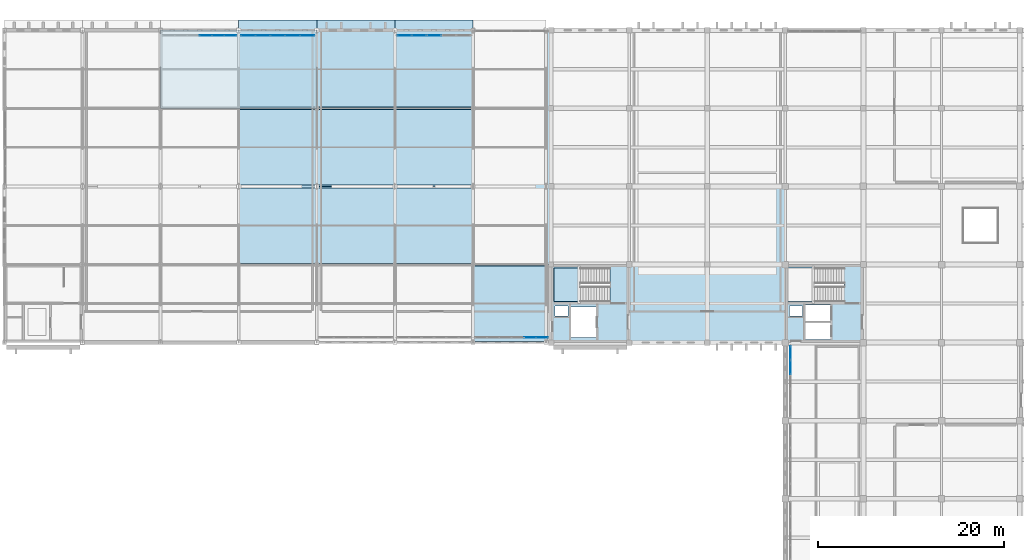
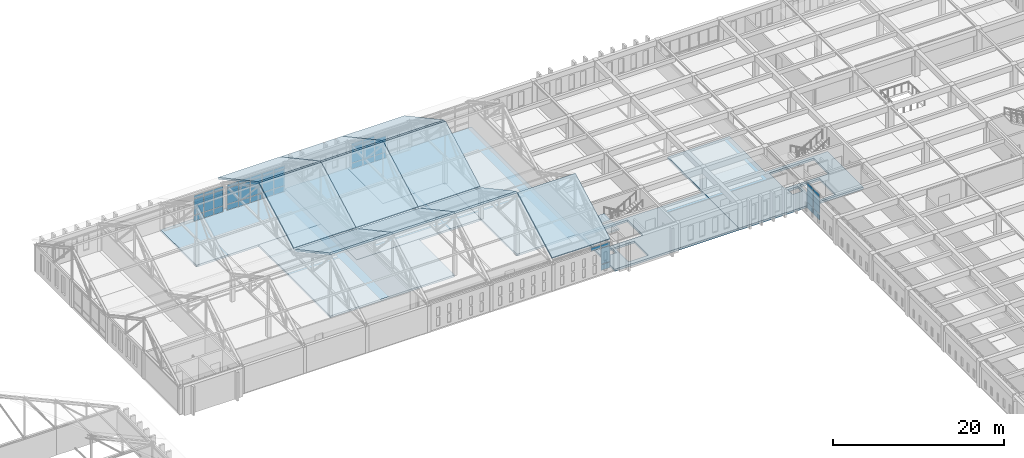
# One storey, part 60 of 110: 42 plates, 17 slabs, 6 elements without a shape of their own.
"""IFC4 building model written with IfcOpenShell, lengths in metres."""

from ifc_helpers import new_model, si_unit, direction, frame, origin, origin_2d, place, context, subcontext, project, spatial, polyline, rectangle, outline, extrude, material, layer, layer_set, type_object, element, aggregate, save


model = new_model("IFC4")

# Units and contexts
model_context = context("Model", 3, precision=1e-05, world=origin(), true_north=direction((0.0, 1.0)))
body_context = subcontext(model_context, "Body", "Model", "MODEL_VIEW")
ifc_project = project(units=[si_unit("LENGTHUNIT", "METRE"), si_unit("AREAUNIT", "SQUARE_METRE"), si_unit("VOLUMEUNIT", "CUBIC_METRE"), si_unit("PLANEANGLEUNIT", "RADIAN"), si_unit("MASSUNIT", "GRAM", prefix="KILO")], contexts=[model_context])

# Site, building, storey
site_placement = place(None, origin())
site = spatial("IfcSite", under=ifc_project, at=site_placement, CompositionType="ELEMENT")
building_placement = place(site_placement, origin())
building = spatial("IfcBuilding", under=site, at=building_placement, Name="Kveldsbrygga Polytechnic", CompositionType="ELEMENT")
storey_placement = place(building_placement, frame((0.0, 0.0, 9.860107421875)))
storey = spatial("IfcBuildingStorey", under=building, at=storey_placement, Name="L02", CompositionType="ELEMENT", Elevation=9.860107421875)

# Curtain wall, plates
ifc_material_1 = material(Name="Anodised aluminium AW-6060", Category="aluminium")
ifc_layer_1 = layer(ifc_material_1, 0.179931640625)
ifc_layer_set_1 = layer_set([ifc_layer_1], Name="Anodised aluminium AW-6060")
curtain_wall_type_1 = type_object("IfcCurtainWallType", Name="CW-CONC-A", PredefinedType="USERDEFINED", material=ifc_layer_set_1)
curtain_wall_1_placement = place(storey_placement, origin())
curtain_wall_1 = element("IfcCurtainWall", 1, at=curtain_wall_1_placement, inside=storey, type_object=curtain_wall_type_1, Name="Curtain Wall CW-L02-X-07-14", ObjectType="UNITISED CURTAIN WALL", PredefinedType="USERDEFINED")
ifc_material_2 = material(Name="Insulated triple low-E glass", Category="glass")
ifc_layer_2 = layer(ifc_material_2, 0.035888671875)
ifc_layer_set_2 = layer_set([ifc_layer_2], Name="Insulated triple low-E glass")
plate_type_1 = type_object("IfcPlateType", Name="CW-PAN-VIS36", PredefinedType="CURTAIN_PANEL", material=ifc_layer_set_2)
plate_1_placement = place(storey_placement, frame((63.65869140625, 117.050048828125, 0.059814453125), z_axis=(0.0, 0.0, 1.0), x_axis=(1.0, 0.0, 0.0)))
plate_1 = element("IfcPlate", 2, at=plate_1_placement, type_object=plate_type_1, Name="CW-01 panel 4.1", PredefinedType="CURTAIN_PANEL", context=body_context, shape_type="SweptSolid", body=[
    extrude(rectangle(XDim=1.2724609375, YDim=0.035888671875, at=origin_2d()), origin(), (0.0, 0.0, 1.0), 0.81005859375),
])
plate_2_placement = place(storey_placement, frame((63.65869140625, 117.050048828125, 0.929931640625), z_axis=(0.0, 0.0, 1.0), x_axis=(1.0, 0.0, 0.0)))
plate_2 = element("IfcPlate", 3, at=plate_2_placement, type_object=plate_type_1, Name="CW-01 panel 4.2", PredefinedType="CURTAIN_PANEL", context=body_context, shape_type="SweptSolid", body=[
    extrude(rectangle(XDim=1.2724609375, YDim=0.035888671875, at=origin_2d()), origin(), (0.0, 0.0, 1.0), 2.27001953125),
])
plate_3_placement = place(storey_placement, frame((63.65869140625, 117.050048828125, 3.260009765625), z_axis=(0.0, 0.0, 1.0), x_axis=(1.0, 0.0, 0.0)))
plate_3 = element("IfcPlate", 4, at=plate_3_placement, type_object=plate_type_1, Name="CW-01 panel 4.3", PredefinedType="CURTAIN_PANEL", context=body_context, shape_type="SweptSolid", body=[
    extrude(rectangle(XDim=1.2724609375, YDim=0.035888671875, at=origin_2d()), origin(), (0.0, 0.0, 1.0), 0.4599609375),
])
plate_4_placement = place(storey_placement, frame((64.9912109375, 117.050048828125, 0.059814453125), z_axis=(0.0, 0.0, 1.0), x_axis=(1.0, 0.0, 0.0)))
plate_4 = element("IfcPlate", 5, at=plate_4_placement, type_object=plate_type_1, Name="CW-01 panel 5.1", PredefinedType="CURTAIN_PANEL", context=body_context, shape_type="SweptSolid", body=[
    extrude(rectangle(XDim=1.2724609375, YDim=0.035888671875, at=origin_2d()), origin(), (0.0, 0.0, 1.0), 0.81005859375),
])
plate_5_placement = place(storey_placement, frame((64.9912109375, 117.050048828125, 0.929931640625), z_axis=(0.0, 0.0, 1.0), x_axis=(1.0, 0.0, 0.0)))
plate_5 = element("IfcPlate", 6, at=plate_5_placement, type_object=plate_type_1, Name="CW-01 panel 5.2", PredefinedType="CURTAIN_PANEL", context=body_context, shape_type="SweptSolid", body=[
    extrude(rectangle(XDim=1.2724609375, YDim=0.035888671875, at=origin_2d()), origin(), (0.0, 0.0, 1.0), 2.27001953125),
])
plate_6_placement = place(storey_placement, frame((64.9912109375, 117.050048828125, 3.260009765625), z_axis=(0.0, 0.0, 1.0), x_axis=(1.0, 0.0, 0.0)))
plate_6 = element("IfcPlate", 7, at=plate_6_placement, type_object=plate_type_1, Name="CW-01 panel 5.3", PredefinedType="CURTAIN_PANEL", context=body_context, shape_type="SweptSolid", body=[
    extrude(rectangle(XDim=1.2724609375, YDim=0.035888671875, at=origin_2d()), origin(), (0.0, 0.0, 1.0), 0.4599609375),
])
plate_7_placement = place(storey_placement, frame((66.308837890625, 117.050048828125, 0.059814453125), z_axis=(0.0, 0.0, 1.0), x_axis=(1.0, 0.0, 0.0)))
plate_7 = element("IfcPlate", 8, at=plate_7_placement, type_object=plate_type_1, Name="CW-01 panel 6.1", PredefinedType="CURTAIN_PANEL", context=body_context, shape_type="SweptSolid", body=[
    extrude(rectangle(XDim=1.242431640625, YDim=0.035888671875, at=origin_2d()), origin(), (0.0, 0.0, 1.0), 0.81005859375),
])
plate_8_placement = place(storey_placement, frame((66.308837890625, 117.050048828125, 0.929931640625), z_axis=(0.0, 0.0, 1.0), x_axis=(1.0, 0.0, 0.0)))
plate_8 = element("IfcPlate", 9, at=plate_8_placement, type_object=plate_type_1, Name="CW-01 panel 6.2", PredefinedType="CURTAIN_PANEL", context=body_context, shape_type="SweptSolid", body=[
    extrude(rectangle(XDim=1.242431640625, YDim=0.035888671875, at=origin_2d()), origin(), (0.0, 0.0, 1.0), 2.27001953125),
])
plate_9_placement = place(storey_placement, frame((66.308837890625, 117.050048828125, 3.260009765625), z_axis=(0.0, 0.0, 1.0), x_axis=(1.0, 0.0, 0.0)))
plate_9 = element("IfcPlate", 10, at=plate_9_placement, type_object=plate_type_1, Name="CW-01 panel 6.3", PredefinedType="CURTAIN_PANEL", context=body_context, shape_type="SweptSolid", body=[
    extrude(rectangle(XDim=1.242431640625, YDim=0.035888671875, at=origin_2d()), origin(), (0.0, 0.0, 1.0), 0.4599609375),
])
aggregate(curtain_wall_1, [plate_1, plate_2, plate_3, plate_4, plate_5, plate_6, plate_7, plate_8, plate_9])

ifc_layer_3 = layer(ifc_material_1, 0.179931640625)
ifc_layer_set_3 = layer_set([ifc_layer_3], Name="Anodised aluminium AW-6060")
curtain_wall_type_2 = type_object("IfcCurtainWallType", Name="CW-LANC-D", PredefinedType="USERDEFINED", material=ifc_layer_set_3)
curtain_wall_2_placement = place(storey_placement, origin())
curtain_wall_2 = element("IfcCurtainWall", 11, at=curtain_wall_2_placement, inside=storey, type_object=curtain_wall_type_2, Name="Curtain Wall CW-L02-X-10-14", ObjectType="UNITISED CURTAIN WALL", PredefinedType="USERDEFINED")
plate_10_placement = place(storey_placement, frame((85.0283203125, 117.050048828125, 0.059814453125), z_axis=(0.0, 0.0, 1.0), x_axis=(1.0, 0.0, 0.0)))
plate_10 = element("IfcPlate", 12, at=plate_10_placement, type_object=plate_type_1, Name="CW-04 panel 1.1", PredefinedType="CURTAIN_PANEL", context=body_context, shape_type="SweptSolid", body=[
    extrude(rectangle(XDim=1.486572265625, YDim=0.035888671875, at=origin_2d()), origin(), (0.0, 0.0, 1.0), 0.81005859375),
])
plate_11_placement = place(storey_placement, frame((85.0283203125, 117.050048828125, 0.929931640625), z_axis=(0.0, 0.0, 1.0), x_axis=(1.0, 0.0, 0.0)))
plate_11 = element("IfcPlate", 13, at=plate_11_placement, type_object=plate_type_1, Name="CW-04 panel 1.2", PredefinedType="CURTAIN_PANEL", context=body_context, shape_type="SweptSolid", body=[
    extrude(rectangle(XDim=1.486572265625, YDim=0.035888671875, at=origin_2d()), origin(), (0.0, 0.0, 1.0), 2.27001953125),
])
plate_12_placement = place(storey_placement, frame((85.0283203125, 117.050048828125, 3.260009765625), z_axis=(0.0, 0.0, 1.0), x_axis=(1.0, 0.0, 0.0)))
plate_12 = element("IfcPlate", 14, at=plate_12_placement, type_object=plate_type_1, Name="CW-04 panel 1.3", PredefinedType="CURTAIN_PANEL", context=body_context, shape_type="SweptSolid", body=[
    extrude(rectangle(XDim=1.486572265625, YDim=0.035888671875, at=origin_2d()), origin(), (0.0, 0.0, 1.0), 0.4599609375),
])
plate_13_placement = place(storey_placement, frame((86.6083984375, 117.050048828125, 0.059814453125), z_axis=(0.0, 0.0, 1.0), x_axis=(1.0, 0.0, 0.0)))
plate_13 = element("IfcPlate", 15, at=plate_13_placement, type_object=plate_type_1, Name="CW-04 panel 2.1", PredefinedType="CURTAIN_PANEL", context=body_context, shape_type="SweptSolid", body=[
    extrude(rectangle(XDim=1.52392578125, YDim=0.035888671875, at=origin_2d()), origin(), (0.0, 0.0, 1.0), 0.81005859375),
])
plate_14_placement = place(storey_placement, frame((86.6083984375, 117.050048828125, 0.929931640625), z_axis=(0.0, 0.0, 1.0), x_axis=(1.0, 0.0, 0.0)))
plate_14 = element("IfcPlate", 16, at=plate_14_placement, type_object=plate_type_1, Name="CW-04 panel 2.2", PredefinedType="CURTAIN_PANEL", context=body_context, shape_type="SweptSolid", body=[
    extrude(rectangle(XDim=1.52392578125, YDim=0.035888671875, at=origin_2d()), origin(), (0.0, 0.0, 1.0), 2.27001953125),
])
plate_15_placement = place(storey_placement, frame((86.6083984375, 117.050048828125, 3.260009765625), z_axis=(0.0, 0.0, 1.0), x_axis=(1.0, 0.0, 0.0)))
plate_15 = element("IfcPlate", 17, at=plate_15_placement, type_object=plate_type_1, Name="CW-04 panel 2.3", PredefinedType="CURTAIN_PANEL", context=body_context, shape_type="SweptSolid", body=[
    extrude(rectangle(XDim=1.52392578125, YDim=0.035888671875, at=origin_2d()), origin(), (0.0, 0.0, 1.0), 0.4599609375),
])
plate_16_placement = place(storey_placement, frame((88.20751953125, 117.050048828125, 0.059814453125), z_axis=(0.0, 0.0, 1.0), x_axis=(1.0, 0.0, 0.0)))
plate_16 = element("IfcPlate", 18, at=plate_16_placement, type_object=plate_type_1, Name="CW-04 panel 3.1", PredefinedType="CURTAIN_PANEL", context=body_context, shape_type="SweptSolid", body=[
    extrude(rectangle(XDim=1.52392578125, YDim=0.035888671875, at=origin_2d()), origin(), (0.0, 0.0, 1.0), 0.81005859375),
])
plate_17_placement = place(storey_placement, frame((88.20751953125, 117.050048828125, 0.929931640625), z_axis=(0.0, 0.0, 1.0), x_axis=(1.0, 0.0, 0.0)))
plate_17 = element("IfcPlate", 19, at=plate_17_placement, type_object=plate_type_1, Name="CW-04 panel 3.2", PredefinedType="CURTAIN_PANEL", context=body_context, shape_type="SweptSolid", body=[
    extrude(rectangle(XDim=1.52392578125, YDim=0.035888671875, at=origin_2d()), origin(), (0.0, 0.0, 1.0), 2.27001953125),
])
aggregate(curtain_wall_2, [plate_10, plate_11, plate_12, plate_13, plate_14, plate_15, plate_16, plate_17])

curtain_wall_3_placement = place(storey_placement, origin())
curtain_wall_3 = element("IfcCurtainWall", 20, at=curtain_wall_3_placement, inside=storey, type_object=curtain_wall_type_1, Name="Curtain Wall CW-L02-X-11-10", ObjectType="UNITISED CURTAIN WALL", PredefinedType="USERDEFINED")
plate_18_placement = place(storey_placement, frame((98.534912109375, 84.550048828125, 3.260009765625), z_axis=(0.0, 0.0, 1.0), x_axis=(1.0, 0.0, 0.0)))
plate_18 = element("IfcPlate", 21, at=plate_18_placement, type_object=plate_type_1, Name="CW-01 panel 5.3", PredefinedType="CURTAIN_PANEL", context=body_context, shape_type="SweptSolid", body=[
    extrude(rectangle(XDim=1.260009765625, YDim=0.035888671875, at=origin_2d()), origin(), (0.0, 0.0, 1.0), 0.4599609375),
])
plate_19_placement = place(storey_placement, frame((99.840087890625, 84.550048828125, 0.059814453125), z_axis=(0.0, 0.0, 1.0), x_axis=(1.0, 0.0, 0.0)))
plate_19 = element("IfcPlate", 22, at=plate_19_placement, type_object=plate_type_1, Name="CW-01 panel 6.1", PredefinedType="CURTAIN_PANEL", context=body_context, shape_type="SweptSolid", body=[
    extrude(rectangle(XDim=1.22998046875, YDim=0.035888671875, at=origin_2d()), origin(), (0.0, 0.0, 1.0), 0.81005859375),
])
plate_20_placement = place(storey_placement, frame((99.840087890625, 84.550048828125, 0.929931640625), z_axis=(0.0, 0.0, 1.0), x_axis=(1.0, 0.0, 0.0)))
plate_20 = element("IfcPlate", 23, at=plate_20_placement, type_object=plate_type_1, Name="CW-01 panel 6.2", PredefinedType="CURTAIN_PANEL", context=body_context, shape_type="SweptSolid", body=[
    extrude(rectangle(XDim=1.22998046875, YDim=0.035888671875, at=origin_2d()), origin(), (0.0, 0.0, 1.0), 2.27001953125),
])
plate_21_placement = place(storey_placement, frame((99.840087890625, 84.550048828125, 3.260009765625), z_axis=(0.0, 0.0, 1.0), x_axis=(1.0, 0.0, 0.0)))
plate_21 = element("IfcPlate", 24, at=plate_21_placement, type_object=plate_type_1, Name="CW-01 panel 6.3", PredefinedType="CURTAIN_PANEL", context=body_context, shape_type="SweptSolid", body=[
    extrude(rectangle(XDim=1.22998046875, YDim=0.035888671875, at=origin_2d()), origin(), (0.0, 0.0, 1.0), 0.4599609375),
])
aggregate(curtain_wall_3, [plate_18, plate_19, plate_20, plate_21])

curtain_wall_4_placement = place(storey_placement, origin())
curtain_wall_4 = element("IfcCurtainWall", 25, at=curtain_wall_4_placement, inside=storey, type_object=curtain_wall_type_2, Name="Curtain Wall CW-L02-Y-15-09", ObjectType="UNITISED CURTAIN WALL", PredefinedType="USERDEFINED")
plate_22_placement = place(storey_placement, frame((126.550048828125, 81.35302734375, 0.059814453125), z_axis=(0.0, 0.0, 1.0), x_axis=(0.0, 1.0, 0.0)))
plate_22 = element("IfcPlate", 26, at=plate_22_placement, type_object=plate_type_1, Name="CW-04 panel 4.1", PredefinedType="CURTAIN_PANEL", context=body_context, shape_type="SweptSolid", body=[
    extrude(rectangle(XDim=1.472900390625, YDim=0.035888671875, at=origin_2d()), origin(), (0.0, 0.0, 1.0), 0.81005859375),
])
plate_23_placement = place(storey_placement, frame((126.550048828125, 81.35302734375, 0.929931640625), z_axis=(0.0, 0.0, 1.0), x_axis=(0.0, 1.0, 0.0)))
plate_23 = element("IfcPlate", 27, at=plate_23_placement, type_object=plate_type_1, Name="CW-04 panel 4.2", PredefinedType="CURTAIN_PANEL", context=body_context, shape_type="SweptSolid", body=[
    extrude(rectangle(XDim=1.472900390625, YDim=0.035888671875, at=origin_2d()), origin(), (0.0, 0.0, 1.0), 2.27001953125),
])
plate_24_placement = place(storey_placement, frame((126.550048828125, 81.35302734375, 3.260009765625), z_axis=(0.0, 0.0, 1.0), x_axis=(0.0, 1.0, 0.0)))
plate_24 = element("IfcPlate", 28, at=plate_24_placement, type_object=plate_type_1, Name="CW-04 panel 4.3", PredefinedType="CURTAIN_PANEL", context=body_context, shape_type="SweptSolid", body=[
    extrude(rectangle(XDim=1.472900390625, YDim=0.035888671875, at=origin_2d()), origin(), (0.0, 0.0, 1.0), 0.4599609375),
])
plate_25_placement = place(storey_placement, frame((126.550048828125, 82.88232421875, 0.059814453125), z_axis=(0.0, 0.0, 1.0), x_axis=(0.0, 1.0, 0.0)))
plate_25 = element("IfcPlate", 29, at=plate_25_placement, type_object=plate_type_1, Name="CW-04 panel 5.1", PredefinedType="CURTAIN_PANEL", context=body_context, shape_type="SweptSolid", body=[
    extrude(rectangle(XDim=1.435546875, YDim=0.035888671875, at=origin_2d()), origin(), (0.0, 0.0, 1.0), 0.81005859375),
])
plate_26_placement = place(storey_placement, frame((126.550048828125, 82.88232421875, 0.929931640625), z_axis=(0.0, 0.0, 1.0), x_axis=(0.0, 1.0, 0.0)))
plate_26 = element("IfcPlate", 30, at=plate_26_placement, type_object=plate_type_1, Name="CW-04 panel 5.2", PredefinedType="CURTAIN_PANEL", context=body_context, shape_type="SweptSolid", body=[
    extrude(rectangle(XDim=1.435546875, YDim=0.035888671875, at=origin_2d()), origin(), (0.0, 0.0, 1.0), 2.27001953125),
])
plate_27_placement = place(storey_placement, frame((126.550048828125, 82.88232421875, 3.260009765625), z_axis=(0.0, 0.0, 1.0), x_axis=(0.0, 1.0, 0.0)))
plate_27 = element("IfcPlate", 31, at=plate_27_placement, type_object=plate_type_1, Name="CW-04 panel 5.3", PredefinedType="CURTAIN_PANEL", context=body_context, shape_type="SweptSolid", body=[
    extrude(rectangle(XDim=1.435546875, YDim=0.035888671875, at=origin_2d()), origin(), (0.0, 0.0, 1.0), 0.4599609375),
])
aggregate(curtain_wall_4, [plate_22, plate_23, plate_24, plate_25, plate_26, plate_27])

ifc_layer_4 = layer(ifc_material_1, 0.199951171875)
ifc_layer_set_4 = layer_set([ifc_layer_4], Name="Anodised aluminium AW-6060")
curtain_wall_type_3 = type_object("IfcCurtainWallType", Name="CW-CONC-B", PredefinedType="USERDEFINED", material=ifc_layer_set_4)
curtain_wall_5_placement = place(storey_placement, origin())
curtain_wall_5 = element("IfcCurtainWall", 32, at=curtain_wall_5_placement, inside=storey, type_object=curtain_wall_type_3, Name="Curtain Wall CW-L02-X-08-14", ObjectType="UNITISED CURTAIN WALL", PredefinedType="USERDEFINED")
ifc_layer_5 = layer(ifc_material_2, 0.0419921875)
ifc_layer_set_5 = layer_set([ifc_layer_5], Name="Insulated triple low-E glass")
plate_type_2 = type_object("IfcPlateType", Name="CW-PAN-VIS42", PredefinedType="CURTAIN_PANEL", material=ifc_layer_set_5)
plate_28_placement = place(storey_placement, frame((68.221435546875, 117.050048828125, 0.059814453125), z_axis=(0.0, 0.0, 1.0), x_axis=(1.0, 0.0, 0.0)))
plate_28 = element("IfcPlate", 33, at=plate_28_placement, type_object=plate_type_2, Name="CW-02 panel 1.1", PredefinedType="CURTAIN_PANEL", context=body_context, shape_type="SweptSolid", body=[
    extrude(rectangle(XDim=1.5029296875, YDim=0.0419921875, at=origin_2d()), origin(), (0.0, 0.0, 1.0), 0.81005859375),
])
plate_29_placement = place(storey_placement, frame((68.221435546875, 117.050048828125, 0.929931640625), z_axis=(0.0, 0.0, 1.0), x_axis=(1.0, 0.0, 0.0)))
plate_29 = element("IfcPlate", 34, at=plate_29_placement, type_object=plate_type_2, Name="CW-02 panel 1.2", PredefinedType="CURTAIN_PANEL", context=body_context, shape_type="SweptSolid", body=[
    extrude(rectangle(XDim=1.5029296875, YDim=0.0419921875, at=origin_2d()), origin(), (0.0, 0.0, 1.0), 2.27001953125),
])
plate_30_placement = place(storey_placement, frame((68.221435546875, 117.050048828125, 3.260009765625), z_axis=(0.0, 0.0, 1.0), x_axis=(1.0, 0.0, 0.0)))
plate_30 = element("IfcPlate", 35, at=plate_30_placement, type_object=plate_type_2, Name="CW-02 panel 1.3", PredefinedType="CURTAIN_PANEL", context=body_context, shape_type="SweptSolid", body=[
    extrude(rectangle(XDim=1.5029296875, YDim=0.0419921875, at=origin_2d()), origin(), (0.0, 0.0, 1.0), 0.4599609375),
])
plate_31_placement = place(storey_placement, frame((69.799560546875, 117.050048828125, 0.059814453125), z_axis=(0.0, 0.0, 1.0), x_axis=(1.0, 0.0, 0.0)))
plate_31 = element("IfcPlate", 36, at=plate_31_placement, type_object=plate_type_2, Name="CW-02 panel 2.1", PredefinedType="CURTAIN_PANEL", context=body_context, shape_type="SweptSolid", body=[
    extrude(rectangle(XDim=1.532958984375, YDim=0.0419921875, at=origin_2d()), origin(), (0.0, 0.0, 1.0), 0.81005859375),
])
plate_32_placement = place(storey_placement, frame((69.799560546875, 117.050048828125, 0.929931640625), z_axis=(0.0, 0.0, 1.0), x_axis=(1.0, 0.0, 0.0)))
plate_32 = element("IfcPlate", 37, at=plate_32_placement, type_object=plate_type_2, Name="CW-02 panel 2.2", PredefinedType="CURTAIN_PANEL", context=body_context, shape_type="SweptSolid", body=[
    extrude(rectangle(XDim=1.532958984375, YDim=0.0419921875, at=origin_2d()), origin(), (0.0, 0.0, 1.0), 2.27001953125),
])
plate_33_placement = place(storey_placement, frame((69.799560546875, 117.050048828125, 3.260009765625), z_axis=(0.0, 0.0, 1.0), x_axis=(1.0, 0.0, 0.0)))
plate_33 = element("IfcPlate", 38, at=plate_33_placement, type_object=plate_type_2, Name="CW-02 panel 2.3", PredefinedType="CURTAIN_PANEL", context=body_context, shape_type="SweptSolid", body=[
    extrude(rectangle(XDim=1.532958984375, YDim=0.0419921875, at=origin_2d()), origin(), (0.0, 0.0, 1.0), 0.4599609375),
])
plate_34_placement = place(storey_placement, frame((71.392578125, 117.050048828125, 0.059814453125), z_axis=(0.0, 0.0, 1.0), x_axis=(1.0, 0.0, 0.0)))
plate_34 = element("IfcPlate", 39, at=plate_34_placement, type_object=plate_type_2, Name="CW-02 panel 3.1", PredefinedType="CURTAIN_PANEL", context=body_context, shape_type="SweptSolid", body=[
    extrude(rectangle(XDim=1.532958984375, YDim=0.0419921875, at=origin_2d()), origin(), (0.0, 0.0, 1.0), 0.81005859375),
])
plate_35_placement = place(storey_placement, frame((71.392578125, 117.050048828125, 0.929931640625), z_axis=(0.0, 0.0, 1.0), x_axis=(1.0, 0.0, 0.0)))
plate_35 = element("IfcPlate", 40, at=plate_35_placement, type_object=plate_type_2, Name="CW-02 panel 3.2", PredefinedType="CURTAIN_PANEL", context=body_context, shape_type="SweptSolid", body=[
    extrude(rectangle(XDim=1.532958984375, YDim=0.0419921875, at=origin_2d()), origin(), (0.0, 0.0, 1.0), 2.27001953125),
])
plate_36_placement = place(storey_placement, frame((71.392578125, 117.050048828125, 3.260009765625), z_axis=(0.0, 0.0, 1.0), x_axis=(1.0, 0.0, 0.0)))
plate_36 = element("IfcPlate", 41, at=plate_36_placement, type_object=plate_type_2, Name="CW-02 panel 3.3", PredefinedType="CURTAIN_PANEL", context=body_context, shape_type="SweptSolid", body=[
    extrude(rectangle(XDim=1.532958984375, YDim=0.0419921875, at=origin_2d()), origin(), (0.0, 0.0, 1.0), 0.4599609375),
])
plate_37_placement = place(storey_placement, frame((72.985595703125, 117.050048828125, 0.059814453125), z_axis=(0.0, 0.0, 1.0), x_axis=(1.0, 0.0, 0.0)))
plate_37 = element("IfcPlate", 42, at=plate_37_placement, type_object=plate_type_2, Name="CW-02 panel 4.1", PredefinedType="CURTAIN_PANEL", context=body_context, shape_type="SweptSolid", body=[
    extrude(rectangle(XDim=1.532958984375, YDim=0.0419921875, at=origin_2d()), origin(), (0.0, 0.0, 1.0), 0.81005859375),
])
plate_38_placement = place(storey_placement, frame((72.985595703125, 117.050048828125, 0.929931640625), z_axis=(0.0, 0.0, 1.0), x_axis=(1.0, 0.0, 0.0)))
plate_38 = element("IfcPlate", 43, at=plate_38_placement, type_object=plate_type_2, Name="CW-02 panel 4.2", PredefinedType="CURTAIN_PANEL", context=body_context, shape_type="SweptSolid", body=[
    extrude(rectangle(XDim=1.532958984375, YDim=0.0419921875, at=origin_2d()), origin(), (0.0, 0.0, 1.0), 2.27001953125),
])
plate_39_placement = place(storey_placement, frame((72.985595703125, 117.050048828125, 3.260009765625), z_axis=(0.0, 0.0, 1.0), x_axis=(1.0, 0.0, 0.0)))
plate_39 = element("IfcPlate", 44, at=plate_39_placement, type_object=plate_type_2, Name="CW-02 panel 4.3", PredefinedType="CURTAIN_PANEL", context=body_context, shape_type="SweptSolid", body=[
    extrude(rectangle(XDim=1.532958984375, YDim=0.0419921875, at=origin_2d()), origin(), (0.0, 0.0, 1.0), 0.4599609375),
])
plate_40_placement = place(storey_placement, frame((74.5634765625, 117.050048828125, 0.059814453125), z_axis=(0.0, 0.0, 1.0), x_axis=(1.0, 0.0, 0.0)))
plate_40 = element("IfcPlate", 45, at=plate_40_placement, type_object=plate_type_2, Name="CW-02 panel 5.1", PredefinedType="CURTAIN_PANEL", context=body_context, shape_type="SweptSolid", body=[
    extrude(rectangle(XDim=1.5029296875, YDim=0.0419921875, at=origin_2d()), origin(), (0.0, 0.0, 1.0), 0.81005859375),
])
plate_41_placement = place(storey_placement, frame((74.5634765625, 117.050048828125, 0.929931640625), z_axis=(0.0, 0.0, 1.0), x_axis=(1.0, 0.0, 0.0)))
plate_41 = element("IfcPlate", 46, at=plate_41_placement, type_object=plate_type_2, Name="CW-02 panel 5.2", PredefinedType="CURTAIN_PANEL", context=body_context, shape_type="SweptSolid", body=[
    extrude(rectangle(XDim=1.5029296875, YDim=0.0419921875, at=origin_2d()), origin(), (0.0, 0.0, 1.0), 2.27001953125),
])
plate_42_placement = place(storey_placement, frame((74.5634765625, 117.050048828125, 3.260009765625), z_axis=(0.0, 0.0, 1.0), x_axis=(1.0, 0.0, 0.0)))
plate_42 = element("IfcPlate", 47, at=plate_42_placement, type_object=plate_type_2, Name="CW-02 panel 5.3", PredefinedType="CURTAIN_PANEL", context=body_context, shape_type="SweptSolid", body=[
    extrude(rectangle(XDim=1.5029296875, YDim=0.0419921875, at=origin_2d()), origin(), (0.0, 0.0, 1.0), 0.4599609375),
])
aggregate(curtain_wall_5, [plate_28, plate_29, plate_30, plate_31, plate_32, plate_33, plate_34, plate_35, plate_36, plate_37, plate_38, plate_39, plate_40, plate_41, plate_42])

# Slabs
ifc_material_3 = material(Name="Concrete C35/45", Category="concrete")
ifc_layer_6 = layer(ifc_material_3, 0.300048828125)
ifc_layer_set_6 = layer_set([ifc_layer_6], Name="Concrete C35/45")
slab_type_1 = type_object("IfcSlabType", Name="SLB-LAB-300", PredefinedType="FLOOR", material=ifc_layer_set_6)
slab_1_placement = place(storey_placement, frame((0.0, 0.0, -0.300048828125)))
element("IfcSlab", 48, at=slab_1_placement, inside=storey, type_object=slab_type_1, Name="Slab SLB-L02-V4-Z8-1", PredefinedType="FLOOR", context=body_context, shape_type="SweptSolid", body=[
    extrude(outline(polyline([(100.800048828125, 84.0), (100.800048828125, 92.39990234375), (109.199951171875, 92.39990234375), (117.60009765625, 92.39990234375), (117.60009765625, 84.0), (109.199951171875, 84.0), (100.800048828125, 84.0)]), holes=[polyline([(107.125, 92.0), (101.10009765625, 92.0), (101.10009765625, 88.39990234375), (107.125, 88.39990234375), (107.125, 92.0)]), polyline([(102.949951171875, 84.550048828125), (105.64990234375, 84.550048828125), (105.64990234375, 87.85009765625), (102.949951171875, 87.85009765625), (102.949951171875, 84.550048828125)]), polyline([(101.25, 86.85009765625), (102.64990234375, 86.85009765625), (102.64990234375, 87.949951171875), (101.25, 87.949951171875), (101.25, 86.85009765625)])]), origin(), (0.0, 0.0, 1.0), 0.300048828125),
])
slab_2_placement = place(storey_placement, frame((0.0, 0.0, -0.300048828125)))
element("IfcSlab", 49, at=slab_2_placement, inside=storey, type_object=slab_type_1, Name="Slab SLB-L02-V4-Z9-1", PredefinedType="FLOOR", context=body_context, shape_type="SweptSolid", body=[
    extrude(outline(polyline([(117.60009765625, 100.800048828125), (126.0, 100.800048828125), (126.0, 92.39990234375), (134.39990234375, 92.39990234375), (134.39990234375, 84.0), (126.0, 84.0), (117.60009765625, 84.0), (117.60009765625, 92.39990234375), (117.60009765625, 100.800048828125)]), holes=[polyline([(132.324951171875, 92.0), (126.300048828125, 92.0), (126.300048828125, 88.39990234375), (132.324951171875, 88.39990234375), (132.324951171875, 92.0)]), polyline([(128.14990234375, 84.35009765625), (130.85009765625, 84.35009765625), (130.85009765625, 88.050048828125), (128.14990234375, 88.050048828125), (128.14990234375, 84.35009765625)]), polyline([(126.449951171875, 86.85009765625), (127.85009765625, 86.85009765625), (127.85009765625, 87.949951171875), (126.449951171875, 87.949951171875), (126.449951171875, 86.85009765625)])]), origin(), (0.0, 0.0, 1.0), 0.300048828125),
])

# Stair, slab
stair_type = type_object("IfcStairType", Name="STR-CORE-408", PredefinedType="HALF_TURN_STAIR", material=ifc_material_3)
stair_placement = place(storey_placement, origin())
stair = element("IfcStair", 50, at=stair_placement, inside=storey, type_object=stair_type, Name="L02 Core C5 Escape Stair ST-5", PredefinedType="HALF_TURN_STAIR")
ifc_layer_7 = layer(ifc_material_3, 0.199951171875)
ifc_layer_set_7 = layer_set([ifc_layer_7], Name="Concrete C35/45")
slab_type_2 = type_object("IfcSlabType", Name="SLB-LANDING-200", PredefinedType="LANDING", material=ifc_layer_set_7)
slab_3_placement = place(storey_placement, frame((0.0, 0.0, 1.83984375)))
slab_3 = element("IfcSlab", 51, at=slab_3_placement, type_object=slab_type_2, Name="ST-5 landing 1", PredefinedType="LANDING", context=body_context, shape_type="SweptSolid", body=[
    extrude(outline(polyline([(103.9599609375, 92.0), (101.10009765625, 92.0), (101.10009765625, 88.39990234375), (103.9599609375, 88.39990234375), (103.9599609375, 92.0)])), origin(), (0.0, 0.0, 1.0), 0.199951171875),
])
aggregate(stair, [slab_3])

# Slabs
ifc_layer_8 = layer(ifc_material_3, 0.239990234375)
ifc_layer_set_8 = layer_set([ifc_layer_8], Name="Concrete C35/45")
slab_type_3 = type_object("IfcSlabType", Name="SLB-ROOF-240", PredefinedType="ROOF", material=ifc_layer_set_8)
slab_4_placement = place(storey_placement, frame((67.199951171875, 92.5341796875, 8.939453125), z_axis=(0.0, 0.476281444297, 0.879292889666), x_axis=(1.0, 0.0, 0.0)))
element("IfcSlab", 52, at=slab_4_placement, inside=storey, type_object=slab_type_3, Name="Pitched Roof Slab V2L1-RSLB-4-2", PredefinedType="ROOF", context=body_context, shape_type="SweptSolid", body=[
    extrude(outline(polyline([(0.0, 0.0), (8.400146484375, 0.0), (8.400146484375, 9.229828594802552), (0.0, 9.229828594802552), (0.0, 0.0)])), origin(), (0.0, 0.0, -1.0), 0.239990234375),
])
for number, where, z_axis, x_axis, name in (
    (53, (75.60009765625, 92.5341796875, 8.939453125), (0.0, 0.476281444297, 0.879292889666), (1.0, 0.0, 0.0), "Pitched Roof Slab V2L1-RSLB-5-2"),
    (54, (84.0, 92.5341796875, 8.939453125), (0.0, 0.476281444297, 0.879292889666), (1.0, 0.0, 0.0), "Pitched Roof Slab V2L1-RSLB-6-2"),
):
    element("IfcSlab", number, at=place(storey_placement, frame(where, z_axis=z_axis, x_axis=x_axis)), inside=storey, type_object=slab_type_3, Name=name, PredefinedType="ROOF", context=body_context, shape_type="SweptSolid", body=[
        extrude(outline(polyline([(0.0, 0.0), (8.39990234375, 0.0), (8.39990234375, 9.22982859480255), (0.0, 9.22982859480255), (0.0, 0.0)])), origin(), (0.0, 0.0, -1.0), 0.239990234375),
    ])
slab_5_placement = place(storey_placement, frame((92.39990234375, 84.1201171875, 4.52734375), z_axis=(0.0, -0.476279752512, 0.879293806044), x_axis=(1.0, 0.0, 0.0)))
element("IfcSlab", 55, at=slab_5_placement, inside=storey, type_object=slab_type_3, Name="Pitched Roof Slab V2L1-RSLB-7-1", PredefinedType="ROOF", context=body_context, shape_type="SweptSolid", body=[
    extrude(outline(polyline([(0.0, 0.0), (7.85009765625, 0.0), (7.85009765625, 9.263692927794047), (0.0, 9.263692927794047), (0.0, 0.0)])), origin(), (0.0, 0.0, -1.0), 0.239990234375),
])
slab_6_placement = place(storey_placement, frame((67.199951171875, 100.949951171875, 4.54345703125), z_axis=(0.0, -0.476281444297, 0.879292889666), x_axis=(1.0, 0.0, 0.0)))
element("IfcSlab", 56, at=slab_6_placement, inside=storey, type_object=slab_type_3, Name="Pitched Roof Slab V2L2-RSLB-4-1", PredefinedType="ROOF", context=body_context, shape_type="SweptSolid", body=[
    extrude(outline(polyline([(0.0, 0.0), (8.400146484375, 0.0), (8.400146484375, 9.229828594802552), (0.0, 9.229828594802552), (0.0, 0.0)])), origin(), (0.0, 0.0, -1.0), 0.239990234375),
])
slab_7_placement = place(storey_placement, frame((67.199951171875, 109.334228515625, 8.939453125), z_axis=(0.0, 0.476275764573, 0.879295966146), x_axis=(1.0, 0.0, 0.0)))
element("IfcSlab", 57, at=slab_7_placement, inside=storey, type_object=slab_type_3, Name="Pitched Roof Slab V2L2-RSLB-4-2", PredefinedType="ROOF", context=body_context, shape_type="SweptSolid", body=[
    extrude(outline(polyline([(0.0, 0.0), (8.400146484375, 0.0), (8.400146484375, 10.651388175134363), (0.0, 10.651388175134363), (0.0, 0.0)])), origin(), (0.0, 0.0, -1.0), 0.239990234375),
])
slab_8_placement = place(storey_placement, frame((75.60009765625, 100.949951171875, 4.54345703125), z_axis=(0.0, -0.476281444297, 0.879292889666), x_axis=(1.0, 0.0, 0.0)))
element("IfcSlab", 58, at=slab_8_placement, inside=storey, type_object=slab_type_3, Name="Pitched Roof Slab V2L2-RSLB-5-1", PredefinedType="ROOF", context=body_context, shape_type="SweptSolid", body=[
    extrude(outline(polyline([(0.0, 0.0), (8.39990234375, 0.0), (8.39990234375, 9.22982859480255), (0.0, 9.22982859480255), (0.0, 0.0)])), origin(), (0.0, 0.0, -1.0), 0.239990234375),
])
slab_9_placement = place(storey_placement, frame((75.60009765625, 109.334228515625, 8.939453125), z_axis=(0.0, 0.476275764573, 0.879295966146), x_axis=(1.0, 0.0, 0.0)))
element("IfcSlab", 59, at=slab_9_placement, inside=storey, type_object=slab_type_3, Name="Pitched Roof Slab V2L2-RSLB-5-2", PredefinedType="ROOF", context=body_context, shape_type="SweptSolid", body=[
    extrude(outline(polyline([(0.0, 0.0), (8.39990234375, 0.0), (8.39990234375, 10.651388175134363), (0.0, 10.651388175134363), (0.0, 0.0)])), origin(), (0.0, 0.0, -1.0), 0.239990234375),
])
slab_10_placement = place(storey_placement, frame((84.0, 100.949951171875, 4.54345703125), z_axis=(0.0, -0.476281444297, 0.879292889666), x_axis=(1.0, 0.0, 0.0)))
element("IfcSlab", 60, at=slab_10_placement, inside=storey, type_object=slab_type_3, Name="Pitched Roof Slab V2L2-RSLB-6-1", PredefinedType="ROOF", context=body_context, shape_type="SweptSolid", body=[
    extrude(outline(polyline([(0.0, 0.0), (8.39990234375, 0.0), (8.39990234375, 9.22982859480255), (0.0, 9.22982859480255), (0.0, 0.0)])), origin(), (0.0, 0.0, -1.0), 0.239990234375),
])
slab_11_placement = place(storey_placement, frame((84.0, 109.334228515625, 8.939453125), z_axis=(0.0, 0.476275764573, 0.879295966146), x_axis=(1.0, 0.0, 0.0)))
element("IfcSlab", 61, at=slab_11_placement, inside=storey, type_object=slab_type_3, Name="Pitched Roof Slab V2L2-RSLB-6-2", PredefinedType="ROOF", context=body_context, shape_type="SweptSolid", body=[
    extrude(outline(polyline([(0.0, 0.0), (8.39990234375, 0.0), (8.39990234375, 10.651388175134363), (0.0, 10.651388175134363), (0.0, 0.0)])), origin(), (0.0, 0.0, -1.0), 0.239990234375),
])
ifc_layer_9 = layer(ifc_material_3, 0.280029296875)
ifc_layer_set_9 = layer_set([ifc_layer_9], Name="Concrete C35/45")
slab_type_4 = type_object("IfcSlabType", Name="SLB-STD-280", PredefinedType="FLOOR", material=ifc_layer_set_9)
slab_12_placement = place(storey_placement, frame((0.0, 0.0, -0.280029296875)))
element("IfcSlab", 62, at=slab_12_placement, inside=storey, type_object=slab_type_4, Name="Slab SLB-L02-V2-L04-1", PredefinedType="FLOOR", context=body_context, shape_type="SweptSolid", body=[
    extrude(outline(polyline([(67.199951171875, 92.39990234375), (67.199951171875, 100.800048828125), (67.199951171875, 109.199951171875), (75.60009765625, 109.199951171875), (75.60009765625, 100.800048828125), (84.0, 100.800048828125), (84.0, 92.39990234375), (75.60009765625, 92.39990234375), (67.199951171875, 92.39990234375)])), origin(), (0.0, 0.0, 1.0), 0.280029296875),
])
slab_13_placement = place(storey_placement, frame((0.0, 0.0, -0.280029296875)))
element("IfcSlab", 63, at=slab_13_placement, inside=storey, type_object=slab_type_4, Name="Slab SLB-L02-V2-L05-1", PredefinedType="FLOOR", context=body_context, shape_type="SweptSolid", body=[
    extrude(outline(polyline([(75.60009765625, 100.800048828125), (75.60009765625, 109.199951171875), (75.60009765625, 117.60009765625), (84.0, 117.60009765625), (84.0, 109.199951171875), (92.39990234375, 109.199951171875), (92.39990234375, 100.800048828125), (84.0, 100.800048828125), (75.60009765625, 100.800048828125)])), origin(), (0.0, 0.0, 1.0), 0.280029296875),
])
slab_14_placement = place(storey_placement, frame((0.0, 0.0, -0.280029296875)))
element("IfcSlab", 64, at=slab_14_placement, inside=storey, type_object=slab_type_4, Name="Slab SLB-L02-V2-Z8-2", PredefinedType="FLOOR", context=body_context, shape_type="SweptSolid", body=[
    extrude(outline(polyline([(92.39990234375, 100.800048828125), (92.39990234375, 109.199951171875), (84.0, 109.199951171875), (84.0, 117.60009765625), (92.39990234375, 117.60009765625), (100.800048828125, 117.60009765625), (100.800048828125, 109.199951171875), (100.800048828125, 100.800048828125), (100.800048828125, 92.39990234375), (92.39990234375, 92.39990234375), (92.39990234375, 100.800048828125)])), origin(), (0.0, 0.0, 1.0), 0.280029296875),
])
slab_15_placement = place(storey_placement, frame((0.0, 0.0, -0.280029296875)))
element("IfcSlab", 65, at=slab_15_placement, inside=storey, type_object=slab_type_4, Name="Slab SLB-L02-V2-Z8-3", PredefinedType="FLOOR", context=body_context, shape_type="SweptSolid", body=[
    extrude(outline(polyline([(67.199951171875, 117.60009765625), (75.60009765625, 117.60009765625), (75.60009765625, 109.199951171875), (67.199951171875, 109.199951171875), (58.800048828125, 109.199951171875), (58.800048828125, 117.60009765625), (67.199951171875, 117.60009765625)])), origin(), (0.0, 0.0, 1.0), 0.280029296875),
])

save(model, "model.ifc")
